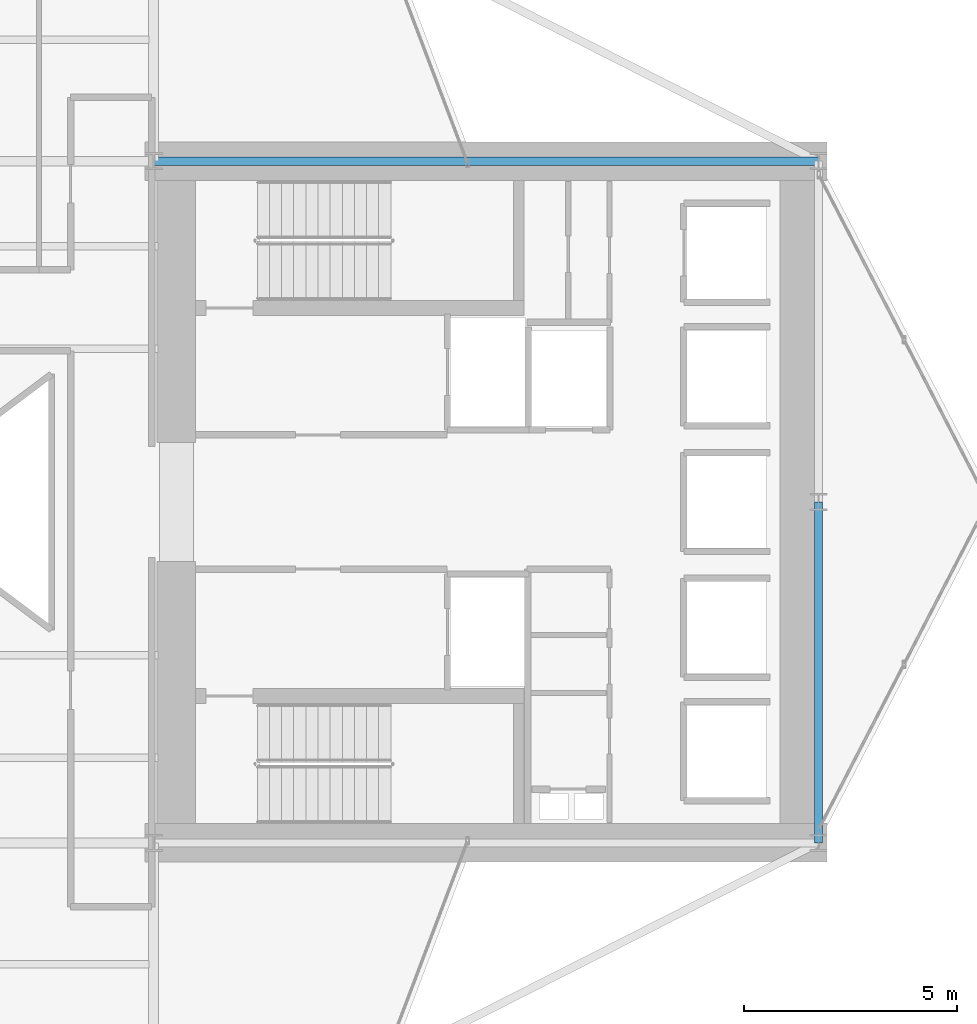
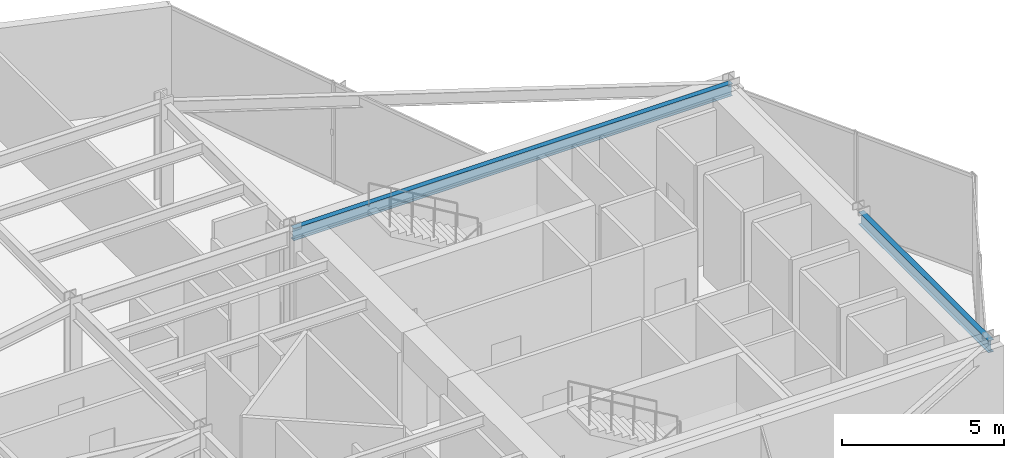
# One storey, part 17 of 29: 2 beams.
"""IFC4 building model written with IfcOpenShell, lengths in metres."""

from ifc_helpers import new_model, si_unit, direction, frame, origin, origin_2d, place, context, subcontext, project, spatial, i_section, extrude, material, material_profile, profile_set, type_object, element, save


model = new_model("IFC4")

# Units and contexts
model_context = context("Model", 3, precision=1e-05, world=origin(), true_north=direction((0.0, 1.0)))
body_context = subcontext(model_context, "Body", "Model", "MODEL_VIEW")
ifc_project = project(units=[si_unit("LENGTHUNIT", "METRE"), si_unit("AREAUNIT", "SQUARE_METRE"), si_unit("VOLUMEUNIT", "CUBIC_METRE"), si_unit("PLANEANGLEUNIT", "RADIAN"), si_unit("MASSUNIT", "GRAM", prefix="KILO")], contexts=[model_context])

# Site, building, storey
site_placement = place(None, origin())
site = spatial("IfcSite", under=ifc_project, at=site_placement, CompositionType="ELEMENT")
building_placement = place(site_placement, origin())
building = spatial("IfcBuilding", under=site, at=building_placement, Name="Veymaron Broadcast Tower", CompositionType="ELEMENT")
storey_placement = place(building_placement, frame((0.0, 0.0, 41.85009765625)))
storey = spatial("IfcBuildingStorey", under=building, at=storey_placement, Name="L08", CompositionType="ELEMENT", Elevation=41.85009765625)

# Beams
ifc_material = material(Name="Structural steel ASTM A992 Gr 50", Category="steel")
ifc_material_profile = material_profile(ifc_material, i_section(OverallWidth=0.19091796875, OverallDepth=0.4599609375, WebThickness=0.010009765625, FlangeThickness=0.01611328125, at=origin_2d()), Name="W460X82")
ifc_profile_set = profile_set([ifc_material_profile], Name="Structural steel ASTM A992 Gr 50")
beam_type = type_object("IfcBeamType", Name="BM-SP1", PredefinedType="SPANDREL", material=ifc_profile_set)
beam_1_placement = place(storey_placement, frame((39.0, 32.0, 3.579833984375), z_axis=(1.0, 0.0, 0.0), x_axis=(0.0, 1.0, 0.0)))
element("IfcBeam", 1, at=beam_1_placement, inside=storey, type_object=beam_type, Name="L08 primary structural floor girder", PredefinedType="SPANDREL", context=body_context, shape_type="SweptSolid", body=[
    extrude(i_section(OverallWidth=0.19091796875, OverallDepth=0.4599609375, WebThickness=0.010009765625, FlangeThickness=0.01611328125, at=origin_2d()), origin(), (0.0, 0.0, 1.0), 15.60009765625),
])
beam_2_placement = place(storey_placement, frame((54.60009765625, 16.0, 3.579833984375), z_axis=(0.0, 1.0, 0.0), x_axis=(-1.0, 0.0, 0.0)))
element("IfcBeam", 2, at=beam_2_placement, inside=storey, type_object=beam_type, Name="L08 primary structural floor girder", PredefinedType="SPANDREL", context=body_context, shape_type="SweptSolid", body=[
    extrude(i_section(OverallWidth=0.19091796875, OverallDepth=0.4599609375, WebThickness=0.010009765625, FlangeThickness=0.01611328125, at=origin_2d()), origin(), (0.0, 0.0, 1.0), 8.0),
])

save(model, "model.ifc")
